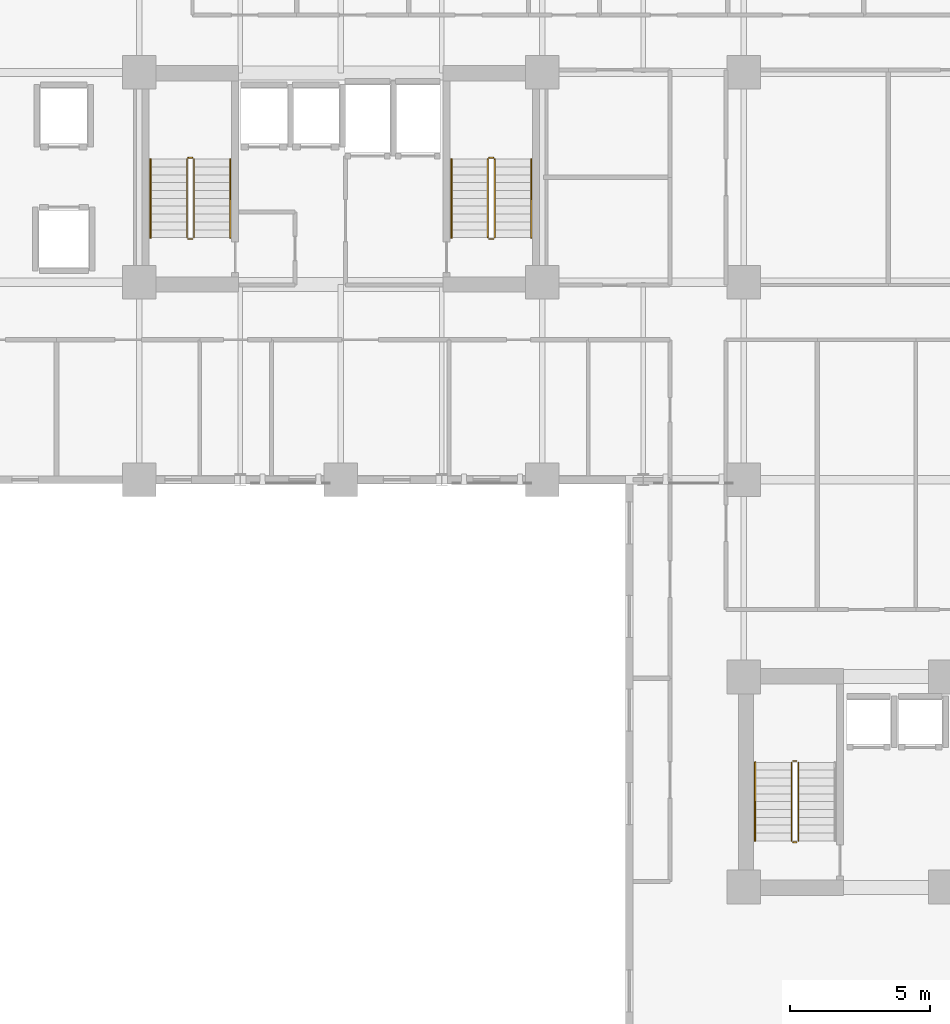
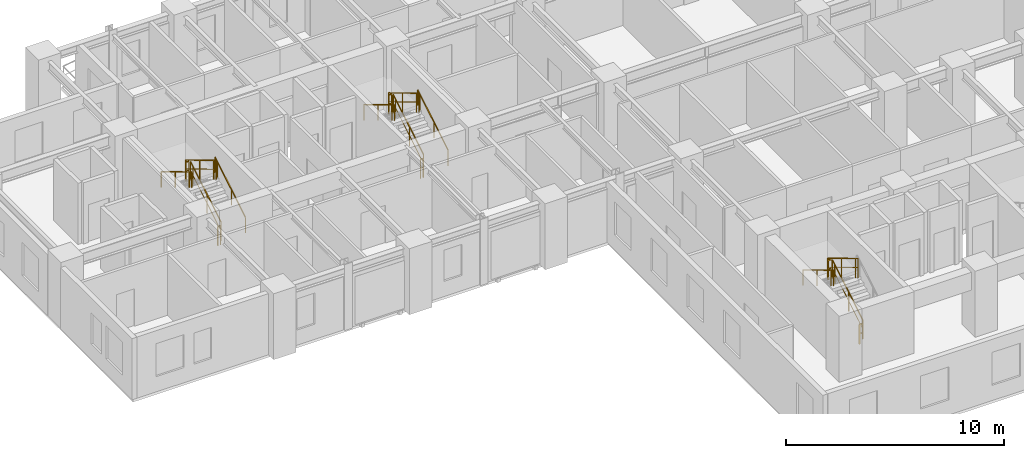
# One storey, part 9 of 11: 17 railings.
"""IFC4 building model written with IfcOpenShell, lengths in metres."""

import ifcopenshell
import ifcopenshell.guid

model = None  # the IFC model being written
_history = None  # IfcOwnerHistory: only IFC2X3 demands one
_inside = {}  # id of a spatial element -> (the spatial element, [elements in it])
_under = {}  # id of a project, library or spatial element -> (it, [spatial elements below it])
_declared = {}  # id of a project -> (the project, [libraries it declares])
_typed = {}  # id of a type object -> (the type object, [elements of that type])
_made_of = {}  # id of a material, layer set ... -> (it, [elements and type objects made of it])


def new_model(schema):
    """Start an empty IFC model of exactly this schema.

    Asked for "IFC4X3", IfcOpenShell would pick the latest addendum, in which some entities
    have other attributes; the version numbers below select the first issue.
    IFC2X3 requires an IfcOwnerHistory on every rooted entity: one is made here for all.
    """
    global model, _history
    if schema == "IFC4X3":
        model = ifcopenshell.file(schema_version=(4, 3, 0, 0))
    else:
        model = ifcopenshell.file(schema=schema)
    _inside.clear()
    _under.clear()
    _declared.clear()
    _typed.clear()
    _made_of.clear()
    _history = None
    if model.schema == "IFC2X3":
        org = make("IfcOrganization", Name="unknown")
        user = make(
            "IfcPersonAndOrganization",
            ThePerson=make("IfcPerson", FamilyName="unknown"),
            TheOrganization=org,
        )
        app = make(
            "IfcApplication",
            ApplicationDeveloper=org,
            Version="unknown",
            ApplicationFullName="unknown",
            ApplicationIdentifier="unknown",
        )
        _history = make(
            "IfcOwnerHistory",
            OwningUser=user,
            OwningApplication=app,
            ChangeAction="ADDED",
            CreationDate=0,
        )
    return model


def make(cls, **values):
    """One entity of the class cls with the attributes given. An attribute that is None is left unset."""
    return model.create_entity(
        cls, **{name: value for name, value in values.items() if value is not None}
    )


def rooted(cls, **values):
    """An entity with a GlobalId (a new one), such as an element, a storey or a relation."""
    return make(cls, GlobalId=ifcopenshell.guid.new(), OwnerHistory=_history, **values)


def si_unit(unit_type, name, prefix=None):
    """IfcSIUnit, for example si_unit("LENGTHUNIT", "METRE", prefix="MILLI")."""
    return make("IfcSIUnit", UnitType=unit_type, Prefix=prefix, Name=name)


def assignment(units):
    """IfcUnitAssignment: the units of a project."""
    return None if units is None else make("IfcUnitAssignment", Units=units)


def point(xyz):
    """IfcCartesianPoint."""
    return None if xyz is None else make("IfcCartesianPoint", Coordinates=xyz)


def direction(xyz):
    """IfcDirection."""
    return None if xyz is None else make("IfcDirection", DirectionRatios=xyz)


def frame(location, z_axis=None, x_axis=None):
    """IfcAxis2Placement3D, a coordinate frame: its origin and axes. An axis left out is left unset."""
    return make(
        "IfcAxis2Placement3D",
        Location=point(location),
        Axis=direction(z_axis),
        RefDirection=direction(x_axis),
    )


def frame_2d(location, x_axis=None):
    """IfcAxis2Placement2D, a coordinate frame in the plane: its origin and x axis."""
    return make(
        "IfcAxis2Placement2D", Location=point(location), RefDirection=direction(x_axis)
    )


def origin():
    """The frame at (0, 0, 0) with its axes left unset."""
    return frame((0.0, 0.0, 0.0))


def origin_2d():
    """The frame at (0, 0) in the plane with its x axis left unset."""
    return frame_2d((0.0, 0.0))


def place(relative_to, where):
    """IfcLocalPlacement: puts the frame where relative to a parent placement (None: the world)."""
    return make(
        "IfcLocalPlacement", PlacementRelTo=relative_to, RelativePlacement=where
    )


def context(
    kind, dimensions, precision=None, world=None, true_north=None, identifier=None
):
    """IfcGeometricRepresentationContext, for example the 3D "Model" context."""
    return make(
        "IfcGeometricRepresentationContext",
        ContextIdentifier=identifier,
        ContextType=kind,
        CoordinateSpaceDimension=dimensions,
        Precision=precision,
        WorldCoordinateSystem=world,
        TrueNorth=true_north,
    )


def subcontext(parent, identifier, kind, view, scale=None):
    """IfcGeometricRepresentationSubContext, for example "Body" below "Model"."""
    return make(
        "IfcGeometricRepresentationSubContext",
        ContextIdentifier=identifier,
        ContextType=kind,
        ParentContext=parent,
        TargetScale=scale,
        TargetView=view,
    )


def project(units=None, contexts=None):
    """IfcProject with its units and contexts."""
    return rooted(
        "IfcProject",
        Name="project",
        RepresentationContexts=contexts,
        UnitsInContext=assignment(units),
    )


def spatial(cls, under=None, at=None, **own):
    """A site, building, storey or space (cls), placed at a placement, below another one or the project."""
    s = rooted(cls, ObjectPlacement=at, **own)
    if under is not None:
        _under.setdefault(under.id(), (under, []))[1].append(s)
    return s


def profile(cls, at=None, kind="AREA", **sizes):
    """A parametric profile (cls). Its sizes go by their IFC names, for example OverallWidth=200.0."""
    return make(cls, ProfileType=kind, Position=at, **sizes)


def rectangle(**sizes):
    """IfcRectangleProfileDef."""
    return profile("IfcRectangleProfileDef", **sizes)


def extrude(swept, where, along, depth):
    """IfcExtrudedAreaSolid: the profile swept, set in the frame where, extruded along a direction by depth."""
    return make(
        "IfcExtrudedAreaSolid",
        SweptArea=swept,
        Position=where,
        ExtrudedDirection=direction(along),
        Depth=depth,
    )


def shape(context_of_items, identifier, shape_type, items):
    """IfcShapeRepresentation: the items that make up one representation, for example the "Body"."""
    return make(
        "IfcShapeRepresentation",
        ContextOfItems=context_of_items,
        RepresentationIdentifier=identifier,
        RepresentationType=shape_type,
        Items=items,
    )


def material(Name=None, Category=None):
    """IfcMaterial."""
    return make("IfcMaterial", Name=Name, Category=Category)


def made_of(thing, what):
    """Note that an element or type object is made of a material, layer set ...; save() writes the relation."""
    if what is not None:
        _made_of.setdefault(what.id(), (what, []))[1].append(thing)
    return thing


def type_object(cls, material=None, **own):
    """A type object (cls), such as IfcWallType, which elements share."""
    return made_of(rooted(cls, **own), material)


def element(
    cls,
    number,
    at=None,
    inside=None,
    cuts=None,
    type_object=None,
    material=None,
    context=None,
    identifier="Body",
    shape_type=None,
    held_by="IfcProductDefinitionShape",
    body=None,
    shapes=None,
    **own,
):
    """One element of the class cls, such as IfcWall. Its Tag is "e" and its number.

    at: its placement. inside: the storey or other place that contains it. cuts: it is an
    opening in that element (IfcRelVoidsElement). A single representation is given by context,
    identifier, shape_type and body (its items); several are given by shapes. held_by: the class
    of the entity that holds the representations. save() writes the other relations.
    """
    e = rooted(cls, Tag="e%d" % number, ObjectPlacement=at, **own)
    if body is not None:
        shapes = [shape(context, identifier, shape_type, body)]
    if shapes is not None:
        e.Representation = make(held_by, Representations=shapes)
    if inside is not None:
        _inside.setdefault(inside.id(), (inside, []))[1].append(e)
    if cuts is not None:
        rooted(
            "IfcRelVoidsElement", RelatingBuildingElement=cuts, RelatedOpeningElement=e
        )
    if type_object is not None:
        _typed.setdefault(type_object.id(), (type_object, []))[1].append(e)
    return made_of(e, material)


def aggregate(whole, parts):
    """IfcRelAggregates: a whole, such as a stair, and the parts it consists of."""
    return rooted("IfcRelAggregates", RelatingObject=whole, RelatedObjects=parts)


def save(model, path):
    """Write the relations noted so far, then the file.

    IfcRelAggregates (storeys below a building ...), IfcRelContainedInSpatialStructure (elements
    in a storey), IfcRelDefinesByType, IfcRelAssociatesMaterial and IfcRelDeclares: one each for
    every whole, place, type object, material and project.
    """
    for whole, parts in _under.values():
        aggregate(whole, parts)
    for where, things in _inside.values():
        rooted(
            "IfcRelContainedInSpatialStructure",
            RelatedElements=things,
            RelatingStructure=where,
        )
    for kind, things in _typed.values():
        rooted("IfcRelDefinesByType", RelatedObjects=things, RelatingType=kind)
    for what, things in _made_of.values():
        rooted("IfcRelAssociatesMaterial", RelatedObjects=things, RelatingMaterial=what)
    for by, libraries in _declared.values():
        rooted("IfcRelDeclares", RelatingContext=by, RelatedDefinitions=libraries)
    model.write(path)


model = new_model("IFC4")

# Units and contexts
model_context = context("Model", 3, precision=1e-05, world=origin(), true_north=direction((0.0, 1.0)))
body_context = subcontext(model_context, "Body", "Model", "MODEL_VIEW")
ifc_project = project(units=[si_unit("LENGTHUNIT", "METRE"), si_unit("AREAUNIT", "SQUARE_METRE"), si_unit("VOLUMEUNIT", "CUBIC_METRE"), si_unit("PLANEANGLEUNIT", "RADIAN"), si_unit("MASSUNIT", "GRAM", prefix="KILO")], contexts=[model_context])

# Site, building, storey
site_placement = place(None, origin())
site = spatial("IfcSite", under=ifc_project, at=site_placement, CompositionType="ELEMENT")
building_placement = place(site_placement, origin())
building = spatial("IfcBuilding", under=site, at=building_placement, Name="Kaliganga Portal Commons", CompositionType="ELEMENT")
storey_placement = place(building_placement, frame((0.0, 0.0, 119.300048828125)))
storey = spatial("IfcBuildingStorey", under=building, at=storey_placement, Name="L30", CompositionType="ELEMENT", Elevation=119.300048828125)

# Railings
ifc_material_1 = material(Name="Galvanized Painted Steel Balustrade", Category="steel")
railing_type_1 = type_object("IfcRailingType", Name="RLG-STAIR-GRD", PredefinedType="GUARDRAIL", material=ifc_material_1)
railing_1_placement = place(storey_placement, frame((16.35009765625, 30.25, 0.168212890625)))
element("IfcRailing", 1, at=railing_1_placement, inside=storey, type_object=railing_type_1, Name="L30 ST-A1 stair guard 1", PredefinedType="GUARDRAIL", context=body_context, shape_type="SweptSolid", body=[
    extrude(rectangle(XDim=0.048095703125, YDim=0.048095703125, at=origin_2d()), frame((0.0, 0.0, 1.072021484375), z_axis=(0.0, 0.857275202839, 0.514858452973), x_axis=(-1.0, 0.0, 0.0)), (0.0, 0.0, 1.0), 3.26611328125),
    extrude(rectangle(XDim=0.028076171875, YDim=0.028076171875, at=origin_2d()), frame((0.0, 0.0, 0.572021484375), z_axis=(0.0, 0.857275202839, 0.514858452973), x_axis=(-1.0, 0.0, 0.0)), (0.0, 0.0, 1.0), 3.26611328125),
    extrude(rectangle(XDim=0.0419921875, YDim=0.0419921875, at=origin_2d()), origin(), (0.0, 0.0, 1.0), 1.052001953125),
    extrude(rectangle(XDim=0.0419921875, YDim=0.0419921875, at=origin_2d()), frame((0.0, 1.285888671875, 0.772216796875)), (0.0, 0.0, 1.0), 1.052001953125),
    extrude(rectangle(XDim=0.0419921875, YDim=0.0419921875, at=origin_2d()), frame((0.0, 2.57177734375, 1.544677734375)), (0.0, 0.0, 1.0), 1.052001953125),
    extrude(rectangle(XDim=0.0419921875, YDim=0.0419921875, at=origin_2d()), frame((0.0, 2.800048828125, 1.681640625)), (0.0, 0.0, 1.0), 1.052001953125),
])
railing_2_placement = place(storey_placement, frame((16.300048828125, 33.10009765625, 1.849853515625)))
element("IfcRailing", 2, at=railing_2_placement, inside=storey, type_object=railing_type_1, Name="L30 ST-A1 stair guard 2", PredefinedType="GUARDRAIL", context=body_context, shape_type="SweptSolid", body=[
    extrude(rectangle(XDim=0.048095703125, YDim=0.048095703125, at=origin_2d()), frame((0.0, 0.0, 1.076171875), z_axis=(-1.0, 0.0, 0.0), x_axis=(0.0, -1.0, 0.0)), (0.0, 0.0, 1.0), 0.150146484375),
    extrude(rectangle(XDim=0.028076171875, YDim=0.028076171875, at=origin_2d()), frame((0.0, 0.0, 0.572021484375), z_axis=(-1.0, 0.0, 0.0), x_axis=(0.0, -1.0, 0.0)), (0.0, 0.0, 1.0), 0.150146484375),
    extrude(rectangle(XDim=0.0419921875, YDim=0.0419921875, at=origin_2d()), origin(), (0.0, 0.0, 1.0), 1.052001953125),
    extrude(rectangle(XDim=0.0419921875, YDim=0.0419921875, at=origin_2d()), frame((-0.150146484375, 0.0, 0.0)), (0.0, 0.0, 1.0), 1.052001953125),
])
railing_3_placement = place(storey_placement, frame((16.10009765625, 33.050048828125, 2.01806640625)))
element("IfcRailing", 3, at=railing_3_placement, inside=storey, type_object=railing_type_1, Name="L30 ST-A1 stair guard 3", PredefinedType="GUARDRAIL", context=body_context, shape_type="SweptSolid", body=[
    extrude(rectangle(XDim=0.048095703125, YDim=0.048095703125, at=origin_2d()), frame((0.0, 0.0, 1.072021484375), z_axis=(0.0, -0.857242210791, 0.514913383045), x_axis=(1.0, 0.0, 0.0)), (0.0, 0.0, 1.0), 3.266357421875),
    extrude(rectangle(XDim=0.028076171875, YDim=0.028076171875, at=origin_2d()), frame((0.0, 0.0, 0.572021484375), z_axis=(0.0, -0.857242210791, 0.514913383045), x_axis=(1.0, 0.0, 0.0)), (0.0, 0.0, 1.0), 3.266357421875),
    extrude(rectangle(XDim=0.0419921875, YDim=0.0419921875, at=origin_2d()), origin(), (0.0, 0.0, 1.0), 1.052001953125),
    extrude(rectangle(XDim=0.0419921875, YDim=0.0419921875, at=origin_2d()), frame((0.0, -1.285888671875, 0.7724609375)), (0.0, 0.0, 1.0), 1.052001953125),
    extrude(rectangle(XDim=0.0419921875, YDim=0.0419921875, at=origin_2d()), frame((0.0, -2.57177734375, 1.544677734375)), (0.0, 0.0, 1.0), 1.052001953125),
    extrude(rectangle(XDim=0.0419921875, YDim=0.0419921875, at=origin_2d()), frame((0.0, -2.800048828125, 1.681884765625)), (0.0, 0.0, 1.0), 1.052001953125),
])
railing_4_placement = place(storey_placement, frame((16.300048828125, 30.199951171875, 0.0)))
element("IfcRailing", 4, at=railing_4_placement, inside=storey, type_object=railing_type_1, Name="L30 ST-A1 stair guard 4", PredefinedType="GUARDRAIL", context=body_context, shape_type="SweptSolid", body=[
    extrude(rectangle(XDim=0.048095703125, YDim=0.048095703125, at=origin_2d()), frame((0.0, 0.0, 1.076171875), z_axis=(-1.0, 0.0, 0.0), x_axis=(0.0, -1.0, 0.0)), (0.0, 0.0, 1.0), 0.150146484375),
    extrude(rectangle(XDim=0.028076171875, YDim=0.028076171875, at=origin_2d()), frame((0.0, 0.0, 0.572021484375), z_axis=(-1.0, 0.0, 0.0), x_axis=(0.0, -1.0, 0.0)), (0.0, 0.0, 1.0), 0.150146484375),
    extrude(rectangle(XDim=0.0419921875, YDim=0.0419921875, at=origin_2d()), origin(), (0.0, 0.0, 1.0), 1.052001953125),
    extrude(rectangle(XDim=0.0419921875, YDim=0.0419921875, at=origin_2d()), frame((-0.150146484375, 0.0, 0.0)), (0.0, 0.0, 1.0), 1.052001953125),
])
railing_5_placement = place(storey_placement, frame((27.10009765625, 30.25, 0.168212890625)))
element("IfcRailing", 5, at=railing_5_placement, inside=storey, type_object=railing_type_1, Name="L30 ST-A2 stair guard 1", PredefinedType="GUARDRAIL", context=body_context, shape_type="SweptSolid", body=[
    extrude(rectangle(XDim=0.048095703125, YDim=0.048095703125, at=origin_2d()), frame((0.0, 0.0, 1.072021484375), z_axis=(0.0, 0.857275202839, 0.514858452973), x_axis=(-1.0, 0.0, 0.0)), (0.0, 0.0, 1.0), 3.26611328125),
    extrude(rectangle(XDim=0.028076171875, YDim=0.028076171875, at=origin_2d()), frame((0.0, 0.0, 0.572021484375), z_axis=(0.0, 0.857275202839, 0.514858452973), x_axis=(-1.0, 0.0, 0.0)), (0.0, 0.0, 1.0), 3.26611328125),
    extrude(rectangle(XDim=0.0419921875, YDim=0.0419921875, at=origin_2d()), origin(), (0.0, 0.0, 1.0), 1.052001953125),
    extrude(rectangle(XDim=0.0419921875, YDim=0.0419921875, at=origin_2d()), frame((0.0, 1.285888671875, 0.772216796875)), (0.0, 0.0, 1.0), 1.052001953125),
    extrude(rectangle(XDim=0.0419921875, YDim=0.0419921875, at=origin_2d()), frame((0.0, 2.57177734375, 1.544677734375)), (0.0, 0.0, 1.0), 1.052001953125),
    extrude(rectangle(XDim=0.0419921875, YDim=0.0419921875, at=origin_2d()), frame((0.0, 2.800048828125, 1.681640625)), (0.0, 0.0, 1.0), 1.052001953125),
])
railing_6_placement = place(storey_placement, frame((27.050048828125, 33.10009765625, 1.849853515625)))
element("IfcRailing", 6, at=railing_6_placement, inside=storey, type_object=railing_type_1, Name="L30 ST-A2 stair guard 2", PredefinedType="GUARDRAIL", context=body_context, shape_type="SweptSolid", body=[
    extrude(rectangle(XDim=0.048095703125, YDim=0.048095703125, at=origin_2d()), frame((0.0, 0.0, 1.076171875), z_axis=(-1.0, 0.0, 0.0), x_axis=(0.0, -1.0, 0.0)), (0.0, 0.0, 1.0), 0.150146484375),
    extrude(rectangle(XDim=0.028076171875, YDim=0.028076171875, at=origin_2d()), frame((0.0, 0.0, 0.572021484375), z_axis=(-1.0, 0.0, 0.0), x_axis=(0.0, -1.0, 0.0)), (0.0, 0.0, 1.0), 0.150146484375),
    extrude(rectangle(XDim=0.0419921875, YDim=0.0419921875, at=origin_2d()), origin(), (0.0, 0.0, 1.0), 1.052001953125),
    extrude(rectangle(XDim=0.0419921875, YDim=0.0419921875, at=origin_2d()), frame((-0.150146484375, 0.0, 0.0)), (0.0, 0.0, 1.0), 1.052001953125),
])
railing_7_placement = place(storey_placement, frame((26.85009765625, 33.050048828125, 2.01806640625)))
element("IfcRailing", 7, at=railing_7_placement, inside=storey, type_object=railing_type_1, Name="L30 ST-A2 stair guard 3", PredefinedType="GUARDRAIL", context=body_context, shape_type="SweptSolid", body=[
    extrude(rectangle(XDim=0.048095703125, YDim=0.048095703125, at=origin_2d()), frame((0.0, 0.0, 1.072021484375), z_axis=(0.0, -0.857242210791, 0.514913383045), x_axis=(1.0, 0.0, 0.0)), (0.0, 0.0, 1.0), 3.266357421875),
    extrude(rectangle(XDim=0.028076171875, YDim=0.028076171875, at=origin_2d()), frame((0.0, 0.0, 0.572021484375), z_axis=(0.0, -0.857242210791, 0.514913383045), x_axis=(1.0, 0.0, 0.0)), (0.0, 0.0, 1.0), 3.266357421875),
    extrude(rectangle(XDim=0.0419921875, YDim=0.0419921875, at=origin_2d()), origin(), (0.0, 0.0, 1.0), 1.052001953125),
    extrude(rectangle(XDim=0.0419921875, YDim=0.0419921875, at=origin_2d()), frame((0.0, -1.285888671875, 0.7724609375)), (0.0, 0.0, 1.0), 1.052001953125),
    extrude(rectangle(XDim=0.0419921875, YDim=0.0419921875, at=origin_2d()), frame((0.0, -2.57177734375, 1.544677734375)), (0.0, 0.0, 1.0), 1.052001953125),
    extrude(rectangle(XDim=0.0419921875, YDim=0.0419921875, at=origin_2d()), frame((0.0, -2.800048828125, 1.681884765625)), (0.0, 0.0, 1.0), 1.052001953125),
])
railing_8_placement = place(storey_placement, frame((27.050048828125, 30.199951171875, 0.0)))
element("IfcRailing", 8, at=railing_8_placement, inside=storey, type_object=railing_type_1, Name="L30 ST-A2 stair guard 4", PredefinedType="GUARDRAIL", context=body_context, shape_type="SweptSolid", body=[
    extrude(rectangle(XDim=0.048095703125, YDim=0.048095703125, at=origin_2d()), frame((0.0, 0.0, 1.076171875), z_axis=(-1.0, 0.0, 0.0), x_axis=(0.0, -1.0, 0.0)), (0.0, 0.0, 1.0), 0.150146484375),
    extrude(rectangle(XDim=0.028076171875, YDim=0.028076171875, at=origin_2d()), frame((0.0, 0.0, 0.572021484375), z_axis=(-1.0, 0.0, 0.0), x_axis=(0.0, -1.0, 0.0)), (0.0, 0.0, 1.0), 0.150146484375),
    extrude(rectangle(XDim=0.0419921875, YDim=0.0419921875, at=origin_2d()), origin(), (0.0, 0.0, 1.0), 1.052001953125),
    extrude(rectangle(XDim=0.0419921875, YDim=0.0419921875, at=origin_2d()), frame((-0.150146484375, 0.0, 0.0)), (0.0, 0.0, 1.0), 1.052001953125),
])
railing_9_placement = place(storey_placement, frame((37.949951171875, 8.699951171875, 0.168212890625)))
element("IfcRailing", 9, at=railing_9_placement, inside=storey, type_object=railing_type_1, Name="L30 ST-B1 stair guard 1", PredefinedType="GUARDRAIL", context=body_context, shape_type="SweptSolid", body=[
    extrude(rectangle(XDim=0.048095703125, YDim=0.048095703125, at=origin_2d()), frame((0.0, 0.0, 1.072021484375), z_axis=(0.0, 0.857275202839, 0.514858452973), x_axis=(-1.0, 0.0, 0.0)), (0.0, 0.0, 1.0), 3.26611328125),
    extrude(rectangle(XDim=0.028076171875, YDim=0.028076171875, at=origin_2d()), frame((0.0, 0.0, 0.572021484375), z_axis=(0.0, 0.857275202839, 0.514858452973), x_axis=(-1.0, 0.0, 0.0)), (0.0, 0.0, 1.0), 3.26611328125),
    extrude(rectangle(XDim=0.0419921875, YDim=0.0419921875, at=origin_2d()), origin(), (0.0, 0.0, 1.0), 1.052001953125),
    extrude(rectangle(XDim=0.0419921875, YDim=0.0419921875, at=origin_2d()), frame((0.0, 1.285888671875, 0.772216796875)), (0.0, 0.0, 1.0), 1.052001953125),
    extrude(rectangle(XDim=0.0419921875, YDim=0.0419921875, at=origin_2d()), frame((0.0, 2.57177734375, 1.544677734375)), (0.0, 0.0, 1.0), 1.052001953125),
    extrude(rectangle(XDim=0.0419921875, YDim=0.0419921875, at=origin_2d()), frame((0.0, 2.800048828125, 1.681640625)), (0.0, 0.0, 1.0), 1.052001953125),
])
railing_10_placement = place(storey_placement, frame((37.89990234375, 11.550048828125, 1.849853515625)))
element("IfcRailing", 10, at=railing_10_placement, inside=storey, type_object=railing_type_1, Name="L30 ST-B1 stair guard 2", PredefinedType="GUARDRAIL", context=body_context, shape_type="SweptSolid", body=[
    extrude(rectangle(XDim=0.048095703125, YDim=0.048095703125, at=origin_2d()), frame((0.0, 0.0, 1.076171875), z_axis=(-1.0, 0.0, 0.0), x_axis=(0.0, -1.0, 0.0)), (0.0, 0.0, 1.0), 0.14990234375),
    extrude(rectangle(XDim=0.028076171875, YDim=0.028076171875, at=origin_2d()), frame((0.0, 0.0, 0.572021484375), z_axis=(-1.0, 0.0, 0.0), x_axis=(0.0, -1.0, 0.0)), (0.0, 0.0, 1.0), 0.14990234375),
    extrude(rectangle(XDim=0.0419921875, YDim=0.0419921875, at=origin_2d()), frame((-0.14990234375, 0.0, 0.0)), (0.0, 0.0, 1.0), 1.052001953125),
])
railing_11_placement = place(storey_placement, frame((37.699951171875, 11.5, 2.01806640625)))
element("IfcRailing", 11, at=railing_11_placement, inside=storey, type_object=railing_type_1, Name="L30 ST-B1 stair guard 3", PredefinedType="GUARDRAIL", context=body_context, shape_type="SweptSolid", body=[
    extrude(rectangle(XDim=0.048095703125, YDim=0.048095703125, at=origin_2d()), frame((0.0, 0.0, 1.072021484375), z_axis=(0.0, -0.857242210791, 0.514913383045), x_axis=(1.0, 0.0, 0.0)), (0.0, 0.0, 1.0), 3.266357421875),
    extrude(rectangle(XDim=0.028076171875, YDim=0.028076171875, at=origin_2d()), frame((0.0, 0.0, 0.572021484375), z_axis=(0.0, -0.857242210791, 0.514913383045), x_axis=(1.0, 0.0, 0.0)), (0.0, 0.0, 1.0), 3.266357421875),
    extrude(rectangle(XDim=0.0419921875, YDim=0.0419921875, at=origin_2d()), origin(), (0.0, 0.0, 1.0), 1.052001953125),
    extrude(rectangle(XDim=0.0419921875, YDim=0.0419921875, at=origin_2d()), frame((0.0, -1.285888671875, 0.7724609375)), (0.0, 0.0, 1.0), 1.052001953125),
    extrude(rectangle(XDim=0.0419921875, YDim=0.0419921875, at=origin_2d()), frame((0.0, -2.57177734375, 1.544677734375)), (0.0, 0.0, 1.0), 1.052001953125),
    extrude(rectangle(XDim=0.0419921875, YDim=0.0419921875, at=origin_2d()), frame((0.0, -2.800048828125, 1.681884765625)), (0.0, 0.0, 1.0), 1.052001953125),
])
railing_12_placement = place(storey_placement, frame((37.89990234375, 8.64990234375, 0.0)))
element("IfcRailing", 12, at=railing_12_placement, inside=storey, type_object=railing_type_1, Name="L30 ST-B1 stair guard 4", PredefinedType="GUARDRAIL", context=body_context, shape_type="SweptSolid", body=[
    extrude(rectangle(XDim=0.048095703125, YDim=0.048095703125, at=origin_2d()), frame((0.0, 0.0, 1.076171875), z_axis=(-1.0, 0.0, 0.0), x_axis=(0.0, -1.0, 0.0)), (0.0, 0.0, 1.0), 0.14990234375),
    extrude(rectangle(XDim=0.028076171875, YDim=0.028076171875, at=origin_2d()), frame((0.0, 0.0, 0.572021484375), z_axis=(-1.0, 0.0, 0.0), x_axis=(0.0, -1.0, 0.0)), (0.0, 0.0, 1.0), 0.14990234375),
    extrude(rectangle(XDim=0.0419921875, YDim=0.0419921875, at=origin_2d()), frame((-0.14990234375, 0.0, 0.0)), (0.0, 0.0, 1.0), 1.052001953125),
])
ifc_material_2 = material(Name="Brushed Stainless Steel 316", Category="steel")
railing_type_2 = type_object("IfcRailingType", Name="RLG-STAIR-HR", PredefinedType="HANDRAIL", material=ifc_material_2)
railing_13_placement = place(storey_placement, frame((17.64990234375, 30.25, 0.168212890625)))
element("IfcRailing", 13, at=railing_13_placement, inside=storey, type_object=railing_type_2, Name="L30 ST-A1 stair handrail 1", PredefinedType="HANDRAIL", context=body_context, shape_type="SweptSolid", body=[
    extrude(rectangle(XDim=0.048095703125, YDim=0.048095703125, at=origin_2d()), frame((0.0, 0.0, 0.871826171875), z_axis=(0.0, 0.857275202839, 0.514858452973), x_axis=(-1.0, 0.0, 0.0)), (0.0, 0.0, 1.0), 3.26611328125),
    extrude(rectangle(XDim=0.0419921875, YDim=0.0419921875, at=origin_2d()), origin(), (0.0, 0.0, 1.0), 0.851806640625),
    extrude(rectangle(XDim=0.0419921875, YDim=0.0419921875, at=origin_2d()), frame((0.0, 1.285888671875, 0.772216796875)), (0.0, 0.0, 1.0), 0.851806640625),
    extrude(rectangle(XDim=0.0419921875, YDim=0.0419921875, at=origin_2d()), frame((0.0, 2.57177734375, 1.544677734375)), (0.0, 0.0, 1.0), 0.851806640625),
    extrude(rectangle(XDim=0.0419921875, YDim=0.0419921875, at=origin_2d()), frame((0.0, 2.800048828125, 1.681640625)), (0.0, 0.0, 1.0), 0.851806640625),
])
railing_14_placement = place(storey_placement, frame((14.800048828125, 33.050048828125, 2.01806640625)))
element("IfcRailing", 14, at=railing_14_placement, inside=storey, type_object=railing_type_2, Name="L30 ST-A1 stair handrail 2", PredefinedType="HANDRAIL", context=body_context, shape_type="SweptSolid", body=[
    extrude(rectangle(XDim=0.048095703125, YDim=0.048095703125, at=origin_2d()), frame((0.0, 0.0, 0.871826171875), z_axis=(0.0, -0.857242210791, 0.514913383045), x_axis=(1.0, 0.0, 0.0)), (0.0, 0.0, 1.0), 3.266357421875),
    extrude(rectangle(XDim=0.0419921875, YDim=0.0419921875, at=origin_2d()), origin(), (0.0, 0.0, 1.0), 0.851806640625),
    extrude(rectangle(XDim=0.0419921875, YDim=0.0419921875, at=origin_2d()), frame((0.0, -1.285888671875, 0.7724609375)), (0.0, 0.0, 1.0), 0.851806640625),
    extrude(rectangle(XDim=0.0419921875, YDim=0.0419921875, at=origin_2d()), frame((0.0, -2.57177734375, 1.544677734375)), (0.0, 0.0, 1.0), 0.851806640625),
    extrude(rectangle(XDim=0.0419921875, YDim=0.0419921875, at=origin_2d()), frame((0.0, -2.800048828125, 1.681884765625)), (0.0, 0.0, 1.0), 0.851806640625),
])
railing_15_placement = place(storey_placement, frame((28.39990234375, 30.25, 0.168212890625)))
element("IfcRailing", 15, at=railing_15_placement, inside=storey, type_object=railing_type_2, Name="L30 ST-A2 stair handrail 1", PredefinedType="HANDRAIL", context=body_context, shape_type="SweptSolid", body=[
    extrude(rectangle(XDim=0.048095703125, YDim=0.048095703125, at=origin_2d()), frame((0.0, 0.0, 0.871826171875), z_axis=(0.0, 0.857275202839, 0.514858452973), x_axis=(-1.0, 0.0, 0.0)), (0.0, 0.0, 1.0), 3.26611328125),
    extrude(rectangle(XDim=0.0419921875, YDim=0.0419921875, at=origin_2d()), origin(), (0.0, 0.0, 1.0), 0.851806640625),
    extrude(rectangle(XDim=0.0419921875, YDim=0.0419921875, at=origin_2d()), frame((0.0, 1.285888671875, 0.772216796875)), (0.0, 0.0, 1.0), 0.851806640625),
    extrude(rectangle(XDim=0.0419921875, YDim=0.0419921875, at=origin_2d()), frame((0.0, 2.57177734375, 1.544677734375)), (0.0, 0.0, 1.0), 0.851806640625),
    extrude(rectangle(XDim=0.0419921875, YDim=0.0419921875, at=origin_2d()), frame((0.0, 2.800048828125, 1.681640625)), (0.0, 0.0, 1.0), 0.851806640625),
])
for number, where, name in (
    (16, (25.550048828125, 33.050048828125, 2.01806640625), "L30 ST-A2 stair handrail 2"),
    (17, (36.39990234375, 11.5, 2.01806640625), "L30 ST-B1 stair handrail 2"),
):
    element("IfcRailing", number, at=place(storey_placement, frame(where)), inside=storey, type_object=railing_type_2, Name=name, PredefinedType="HANDRAIL", context=body_context, shape_type="SweptSolid", body=[
        extrude(rectangle(XDim=0.048095703125, YDim=0.048095703125, at=origin_2d()), frame((0.0, 0.0, 0.871826171875), z_axis=(0.0, -0.857242210791, 0.514913383045), x_axis=(1.0, 0.0, 0.0)), (0.0, 0.0, 1.0), 3.266357421875),
        extrude(rectangle(XDim=0.0419921875, YDim=0.0419921875, at=origin_2d()), origin(), (0.0, 0.0, 1.0), 0.851806640625),
        extrude(rectangle(XDim=0.0419921875, YDim=0.0419921875, at=origin_2d()), frame((0.0, -1.285888671875, 0.7724609375)), (0.0, 0.0, 1.0), 0.851806640625),
        extrude(rectangle(XDim=0.0419921875, YDim=0.0419921875, at=origin_2d()), frame((0.0, -2.57177734375, 1.544677734375)), (0.0, 0.0, 1.0), 0.851806640625),
        extrude(rectangle(XDim=0.0419921875, YDim=0.0419921875, at=origin_2d()), frame((0.0, -2.800048828125, 1.681884765625)), (0.0, 0.0, 1.0), 0.851806640625),
    ])

save(model, "model.ifc")
